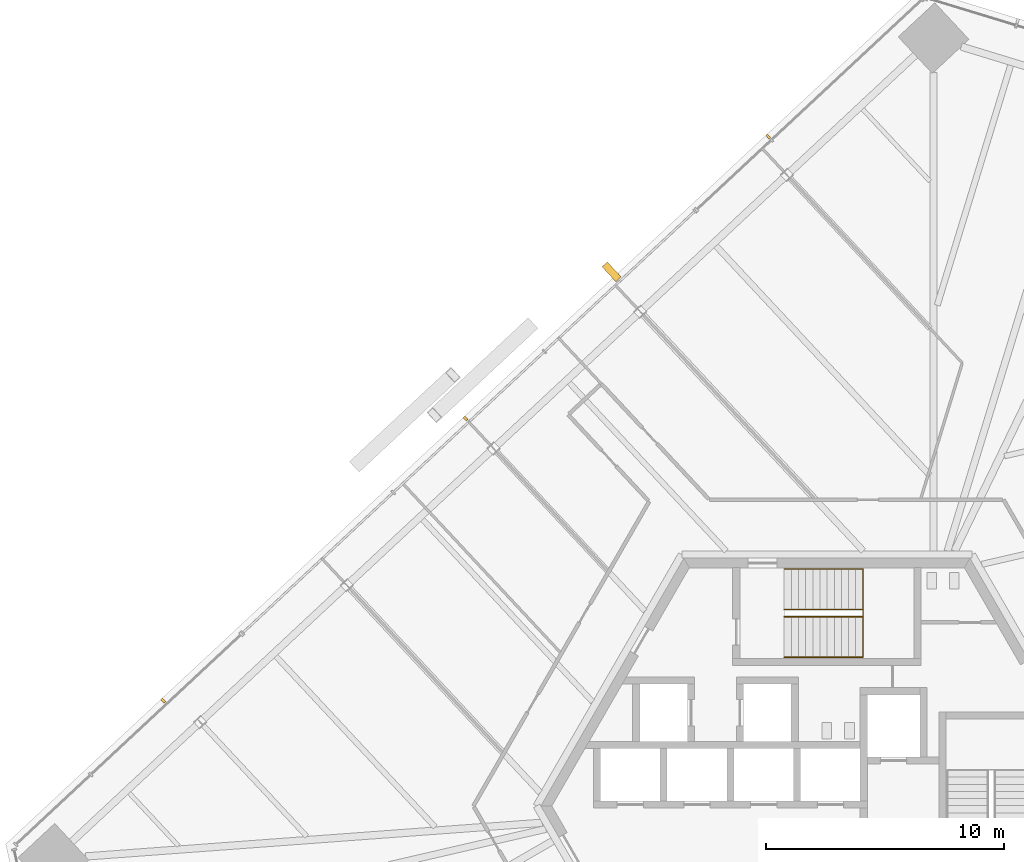
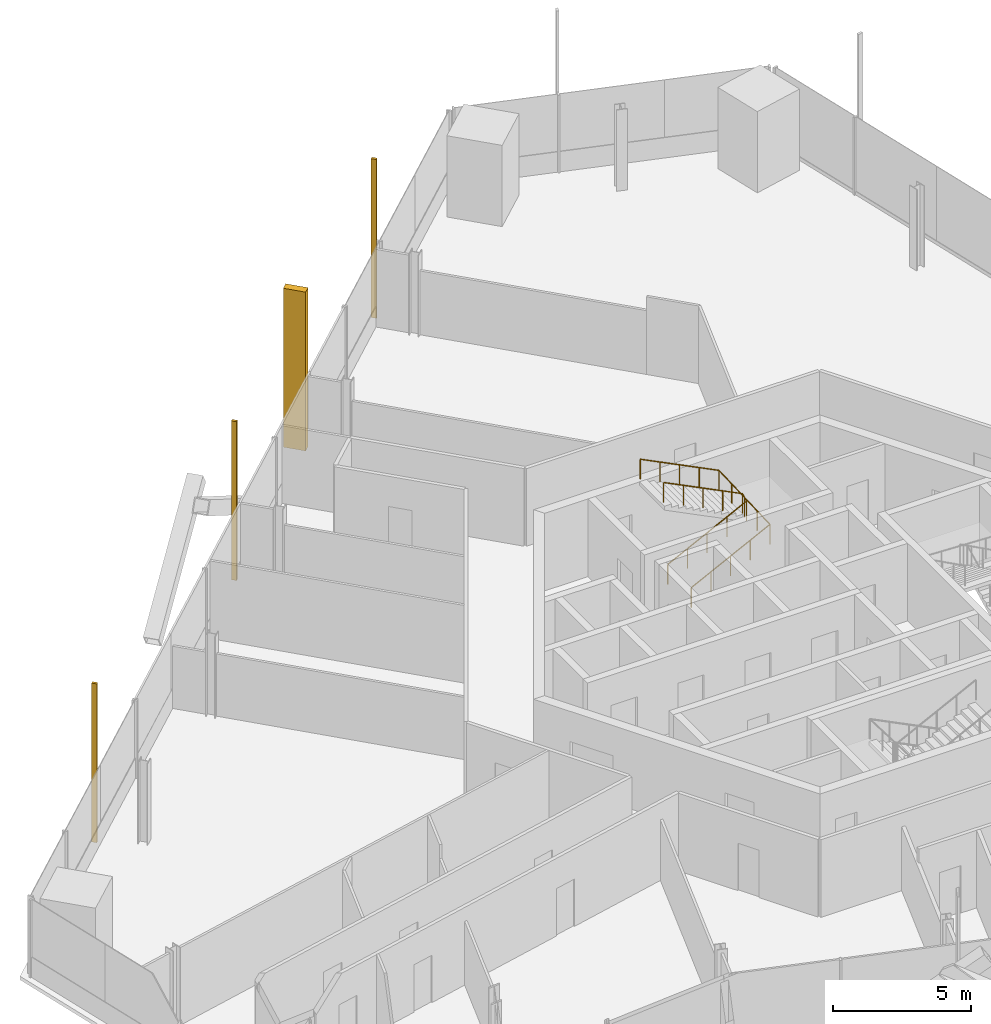
# One storey, part 20 of 24: 4 shading devices, 2 railings.
"""IFC4 building model written with IfcOpenShell, lengths in metres."""

from ifc_helpers import new_model, si_unit, direction, frame, origin, origin_2d, place, context, subcontext, project, spatial, rectangle, circle, extrude, source, transform, mapped, material, type_object, element, save


model = new_model("IFC4")

# Units and contexts
model_context = context("Model", 3, precision=1e-05, world=origin(), true_north=direction((0.0, 1.0)))
body_context = subcontext(model_context, "Body", "Model", "MODEL_VIEW")
ifc_project = project(units=[si_unit("LENGTHUNIT", "METRE"), si_unit("AREAUNIT", "SQUARE_METRE"), si_unit("VOLUMEUNIT", "CUBIC_METRE"), si_unit("PLANEANGLEUNIT", "RADIAN"), si_unit("MASSUNIT", "GRAM", prefix="KILO")], contexts=[model_context])

# Site, building, storey
site_placement = place(None, origin())
site = spatial("IfcSite", under=ifc_project, at=site_placement, CompositionType="ELEMENT")
building_placement = place(site_placement, origin())
building = spatial("IfcBuilding", under=site, at=building_placement, Name="Triune Harvest Tower", CompositionType="ELEMENT")
storey_placement = place(building_placement, frame((0.0, 0.0, 112.699951171875)))
storey = spatial("IfcBuildingStorey", under=building, at=storey_placement, Name="L28", CompositionType="ELEMENT", Elevation=112.699951171875)

# Railings
ifc_material_1 = material(Name="Stainless steel AISI 316", Category="steel")
railing_type = type_object("IfcRailingType", Name="Stair handrail", PredefinedType="HANDRAIL", material=ifc_material_1)
shared_shape_1 = source(origin(), body_context, "Body", "SweptSolid", [
    extrude(circle(Radius=0.02392578125, at=origin_2d()), frame((0.0, 0.0, 0.8759765625), z_axis=(0.894440424912, 0.0, 0.447187126696), x_axis=(0.0, 1.0, 0.0)), (0.0, 0.0, 1.0), 3.689453125),
    extrude(circle(Radius=0.02392578125, at=origin_2d()), frame((3.300048828125, 0.0, 2.52587890625), z_axis=(0.0, 0.999180289278, 0.040481471304), x_axis=(-1.0, 0.0, 0.0)), (0.0, 0.0, 1.0), 3.702880859375),
    extrude(circle(Radius=0.02392578125, at=origin_2d()), frame((3.300048828125, 3.699951171875, 2.67578125), z_axis=(-0.894413956696, 0.0, 0.447240063129), x_axis=(0.0, -1.0, 0.0)), (0.0, 0.0, 1.0), 3.689697265625),
    extrude(circle(Radius=0.02099609375, at=origin_2d()), origin(), (0.0, 0.0, 1.0), 0.851806640625),
    extrude(circle(Radius=0.02099609375, at=origin_2d()), frame((0.824951171875, 0.0, 0.41259765625)), (0.0, 0.0, 1.0), 0.851806640625),
    extrude(circle(Radius=0.02099609375, at=origin_2d()), frame((1.64990234375, 0.0, 0.824951171875)), (0.0, 0.0, 1.0), 0.851806640625),
    extrude(circle(Radius=0.02099609375, at=origin_2d()), frame((2.47509765625, 0.0, 1.2373046875)), (0.0, 0.0, 1.0), 0.851806640625),
    extrude(circle(Radius=0.02099609375, at=origin_2d()), frame((3.300048828125, 0.0, 1.64990234375)), (0.0, 0.0, 1.0), 0.851806640625),
    extrude(circle(Radius=0.02099609375, at=origin_2d()), frame((3.300048828125, 0.925048828125, 1.6875)), (0.0, 0.0, 1.0), 0.851806640625),
    extrude(circle(Radius=0.02099609375, at=origin_2d()), frame((3.300048828125, 1.85009765625, 1.724853515625)), (0.0, 0.0, 1.0), 0.851806640625),
    extrude(circle(Radius=0.02099609375, at=origin_2d()), frame((3.300048828125, 2.77490234375, 1.76220703125)), (0.0, 0.0, 1.0), 0.851806640625),
    extrude(circle(Radius=0.02099609375, at=origin_2d()), frame((3.300048828125, 3.699951171875, 1.7998046875)), (0.0, 0.0, 1.0), 0.851806640625),
    extrude(circle(Radius=0.02099609375, at=origin_2d()), frame((2.47509765625, 3.699951171875, 2.21240234375)), (0.0, 0.0, 1.0), 0.851806640625),
    extrude(circle(Radius=0.02099609375, at=origin_2d()), frame((1.64990234375, 3.699951171875, 2.625)), (0.0, 0.0, 1.0), 0.851806640625),
    extrude(circle(Radius=0.02099609375, at=origin_2d()), frame((0.824951171875, 3.699951171875, 3.037353515625)), (0.0, 0.0, 1.0), 0.851806640625),
    extrude(circle(Radius=0.02099609375, at=origin_2d()), frame((0.0, 3.699951171875, 3.449951171875)), (0.0, 0.0, 1.0), 0.851806640625),
])
railing_1_placement = place(storey_placement, frame((-1.7900390625, 6.239990234375, 0.150146484375)))
element("IfcRailing", 1, at=railing_1_placement, inside=storey, type_object=railing_type, Name="Exit stair north wall handrail", PredefinedType="HANDRAIL", context=body_context, shape_type="MappedRepresentation", body=[
    mapped(shared_shape_1, transform((0.0, 0.0, 0.0), scale=1.0)),
])
shared_shape_2 = source(origin(), body_context, "Body", "SweptSolid", [
    extrude(circle(Radius=0.02392578125, at=origin_2d()), frame((0.0, 0.0, 0.8759765625), z_axis=(0.894440424912, 0.0, 0.447187126696), x_axis=(0.0, 1.0, 0.0)), (0.0, 0.0, 1.0), 3.689453125),
    extrude(circle(Radius=0.02392578125, at=origin_2d()), frame((3.300048828125, 0.0, 2.52587890625), z_axis=(0.0, 0.894572720946, 0.446922417137), x_axis=(-1.0, 0.0, 0.0)), (0.0, 0.0, 1.0), 0.33544921875),
    extrude(circle(Radius=0.02392578125, at=origin_2d()), frame((3.300048828125, 0.300048828125, 2.67578125), z_axis=(-0.894413956696, 0.0, 0.447240063129), x_axis=(0.0, -1.0, 0.0)), (0.0, 0.0, 1.0), 3.689697265625),
    extrude(circle(Radius=0.02099609375, at=origin_2d()), origin(), (0.0, 0.0, 1.0), 0.851806640625),
    extrude(circle(Radius=0.02099609375, at=origin_2d()), frame((0.824951171875, 0.0, 0.41259765625)), (0.0, 0.0, 1.0), 0.851806640625),
    extrude(circle(Radius=0.02099609375, at=origin_2d()), frame((1.64990234375, 0.0, 0.824951171875)), (0.0, 0.0, 1.0), 0.851806640625),
    extrude(circle(Radius=0.02099609375, at=origin_2d()), frame((2.47509765625, 0.0, 1.2373046875)), (0.0, 0.0, 1.0), 0.851806640625),
    extrude(circle(Radius=0.02099609375, at=origin_2d()), frame((3.300048828125, 0.0, 1.64990234375)), (0.0, 0.0, 1.0), 0.851806640625),
    extrude(circle(Radius=0.02099609375, at=origin_2d()), frame((3.300048828125, 0.300048828125, 1.7998046875)), (0.0, 0.0, 1.0), 0.851806640625),
    extrude(circle(Radius=0.02099609375, at=origin_2d()), frame((2.47509765625, 0.300048828125, 2.21240234375)), (0.0, 0.0, 1.0), 0.851806640625),
    extrude(circle(Radius=0.02099609375, at=origin_2d()), frame((1.64990234375, 0.300048828125, 2.625)), (0.0, 0.0, 1.0), 0.851806640625),
    extrude(circle(Radius=0.02099609375, at=origin_2d()), frame((0.824951171875, 0.300048828125, 3.037353515625)), (0.0, 0.0, 1.0), 0.851806640625),
    extrude(circle(Radius=0.02099609375, at=origin_2d()), frame((0.0, 0.300048828125, 3.449951171875)), (0.0, 0.0, 1.0), 0.851806640625),
])
railing_2_placement = place(storey_placement, frame((-1.7900390625, 7.93994140625, 0.150146484375)))
element("IfcRailing", 2, at=railing_2_placement, inside=storey, type_object=railing_type, Name="Exit stair north centre handrail", PredefinedType="HANDRAIL", context=body_context, shape_type="MappedRepresentation", body=[
    mapped(shared_shape_2, transform((0.0, 0.0, 0.0), scale=1.0)),
])

# Shading devices
ifc_material_2 = material(Name="Aluminium bronze anodised", Category="aluminium")
shared_shape_3 = source(origin(), body_context, "Body", "SweptSolid", [
    extrude(rectangle(XDim=0.10009765625, YDim=0.199951171875, at=origin_2d()), origin(), (0.0, 0.0, 1.0), 7.0400390625),
])
for number, where, z_axis, x_axis, name in (
    (3, (-2.46533203125, 28.0888671875, 0.0), (0.0, 0.0, 1.0), (-0.73135336394, -0.681998722179, 0.0), "FN-1 fin B3-F3.3 L28"),
    (4, (-15.15673828125, 16.253662109375, 0.0), (0.0, 0.0, 1.0), (-0.73135336394, -0.681998722179, 0.0), "FN-1 fin B3-F3.7 L28"),
    (5, (-27.848388671875, 4.418701171875, 0.0), (0.0, 0.0, 1.0), (-0.73135336394, -0.681998722179, 0.0), "FN-1 fin B3-F3.11 L28"),
):
    element("IfcShadingDevice", number, at=place(storey_placement, frame(where, z_axis=z_axis, x_axis=x_axis)), inside=storey, material=ifc_material_2, Name=name, ObjectType="FIN", PredefinedType="USERDEFINED", context=body_context, shape_type="MappedRepresentation", body=[
        mapped(shared_shape_3, transform((0.0, 0.0, 0.0), scale=1.0)),
    ])
shared_shape_4 = source(origin(), body_context, "Body", "SweptSolid", [
    extrude(rectangle(XDim=0.300048828125, YDim=0.85009765625, at=origin_2d()), origin(), (0.0, 0.0, 1.0), 7.0400390625),
])
shading_device_placement = place(storey_placement, frame((-9.03271484375, 22.408935546875, 0.0), z_axis=(0.0, 0.0, 1.0), x_axis=(-0.73135336394, -0.681998722179, 0.0)))
element("IfcShadingDevice", 6, at=shading_device_placement, inside=storey, material=ifc_material_2, Name="FN-2 fin B3-F3.5 L28", ObjectType="FIN", PredefinedType="USERDEFINED", context=body_context, shape_type="MappedRepresentation", body=[
    mapped(shared_shape_4, transform((0.0, 0.0, 0.0), scale=1.0)),
])

save(model, "model.ifc")
